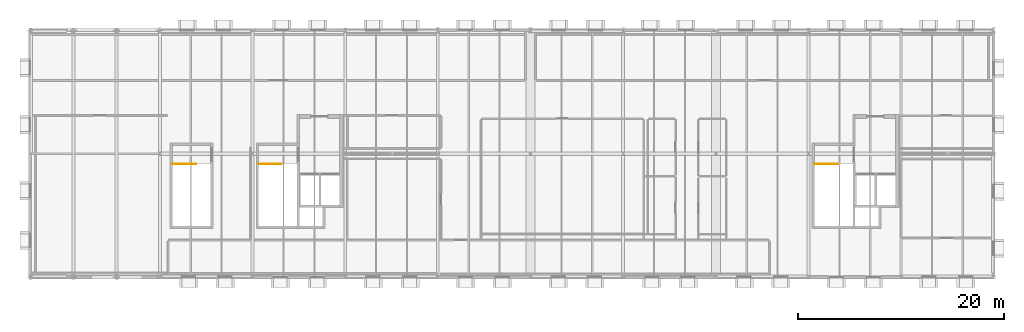
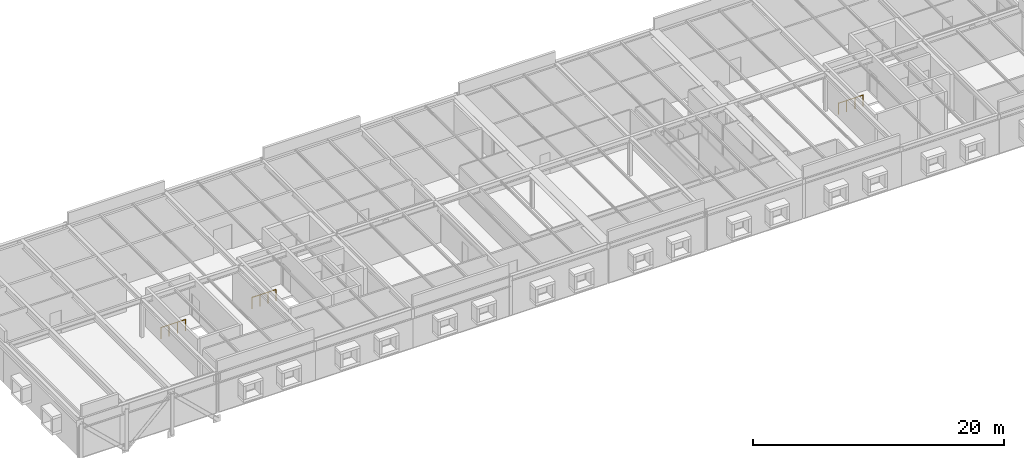
# One storey, part 16 of 16: 3 railings.
"""IFC4 building model written with IfcOpenShell, lengths in metres."""

from ifc_helpers import new_model, si_unit, direction, frame, origin, origin_2d, place, context, subcontext, project, spatial, circle, extrude, material, type_object, element, save


model = new_model("IFC4")

# Units and contexts
model_context = context("Model", 3, precision=1e-05, world=origin(), true_north=direction((0.0, 1.0)))
body_context = subcontext(model_context, "Body", "Model", "MODEL_VIEW")
ifc_project = project(units=[si_unit("LENGTHUNIT", "METRE"), si_unit("AREAUNIT", "SQUARE_METRE"), si_unit("VOLUMEUNIT", "CUBIC_METRE"), si_unit("PLANEANGLEUNIT", "RADIAN"), si_unit("MASSUNIT", "GRAM", prefix="KILO")], contexts=[model_context])

# Site, building, storey
site_placement = place(None, origin())
site = spatial("IfcSite", under=ifc_project, at=site_placement, CompositionType="ELEMENT")
building_placement = place(site_placement, origin())
building = spatial("IfcBuilding", under=site, at=building_placement, Name="Montelvaro Courts of Justice", CompositionType="ELEMENT")
storey_placement = place(building_placement, frame((0.0, 0.0, 35.39990234375)))
storey = spatial("IfcBuildingStorey", under=building, at=storey_placement, Name="L08", CompositionType="ELEMENT", Elevation=35.39990234375)

# Railings
ifc_material = material(Name="Steel S355", Category="steel")
railing_type = type_object("IfcRailingType", Name="InteriorGuard_1100", PredefinedType="BALUSTRADE", material=ifc_material)
railing_1_placement = place(storey_placement, frame((54.60009765625, 11.0, 0.0)))
element("IfcRailing", 1, at=railing_1_placement, inside=storey, type_object=railing_type, Name="Stair Well Guard GR-02 ST-K1-L07-TLG", PredefinedType="BALUSTRADE", context=body_context, shape_type="SweptSolid", body=[
    extrude(circle(Radius=0.02392578125, at=origin_2d()), frame((0.0, 0.0, 1.076171875), z_axis=(1.0, 0.0, 0.0), x_axis=(0.0, 1.0, 0.0)), (0.0, 0.0, 1.0), 2.18994140625),
    extrude(circle(Radius=0.02099609375, at=origin_2d()), origin(), (0.0, 0.0, 1.0), 1.052001953125),
    extrude(circle(Radius=0.02099609375, at=origin_2d()), frame((0.72998046875, 0.0, 0.0)), (0.0, 0.0, 1.0), 1.052001953125),
    extrude(circle(Radius=0.02099609375, at=origin_2d()), frame((1.4599609375, 0.0, 0.0)), (0.0, 0.0, 1.0), 1.052001953125),
    extrude(circle(Radius=0.02099609375, at=origin_2d()), frame((2.18994140625, 0.0, 0.0)), (0.0, 0.0, 1.0), 1.052001953125),
])
railing_2_placement = place(storey_placement, frame((108.60009765625, 11.0, 0.0)))
element("IfcRailing", 2, at=railing_2_placement, inside=storey, type_object=railing_type, Name="Stair Well Guard GR-02 ST-K2-L07-TLG", PredefinedType="BALUSTRADE", context=body_context, shape_type="SweptSolid", body=[
    extrude(circle(Radius=0.02392578125, at=origin_2d()), frame((0.0, 0.0, 1.076171875), z_axis=(1.0, 0.0, 0.0), x_axis=(0.0, 1.0, 0.0)), (0.0, 0.0, 1.0), 2.289794921875),
    extrude(circle(Radius=0.02099609375, at=origin_2d()), origin(), (0.0, 0.0, 1.0), 1.052001953125),
    extrude(circle(Radius=0.02099609375, at=origin_2d()), frame((0.76318359375, 0.0, 0.0)), (0.0, 0.0, 1.0), 1.052001953125),
    extrude(circle(Radius=0.02099609375, at=origin_2d()), frame((1.526611328125, 0.0, 0.0)), (0.0, 0.0, 1.0), 1.052001953125),
    extrude(circle(Radius=0.02099609375, at=origin_2d()), frame((2.289794921875, 0.0, 0.0)), (0.0, 0.0, 1.0), 1.052001953125),
])
railing_3_placement = place(storey_placement, frame((46.199951171875, 11.0, 0.0)))
element("IfcRailing", 3, at=railing_3_placement, inside=storey, type_object=railing_type, Name="Stair Well Guard GR-02 ST-E1-L07-TLG", PredefinedType="BALUSTRADE", context=body_context, shape_type="SweptSolid", body=[
    extrude(circle(Radius=0.02392578125, at=origin_2d()), frame((0.0, 0.0, 1.076171875), z_axis=(1.0, 0.0, 0.0), x_axis=(0.0, 1.0, 0.0)), (0.0, 0.0, 1.0), 2.2900390625),
    extrude(circle(Radius=0.02099609375, at=origin_2d()), origin(), (0.0, 0.0, 1.0), 1.052001953125),
    extrude(circle(Radius=0.02099609375, at=origin_2d()), frame((0.763427734375, 0.0, 0.0)), (0.0, 0.0, 1.0), 1.052001953125),
    extrude(circle(Radius=0.02099609375, at=origin_2d()), frame((1.526611328125, 0.0, 0.0)), (0.0, 0.0, 1.0), 1.052001953125),
    extrude(circle(Radius=0.02099609375, at=origin_2d()), frame((2.2900390625, 0.0, 0.0)), (0.0, 0.0, 1.0), 1.052001953125),
])

save(model, "model.ifc")
